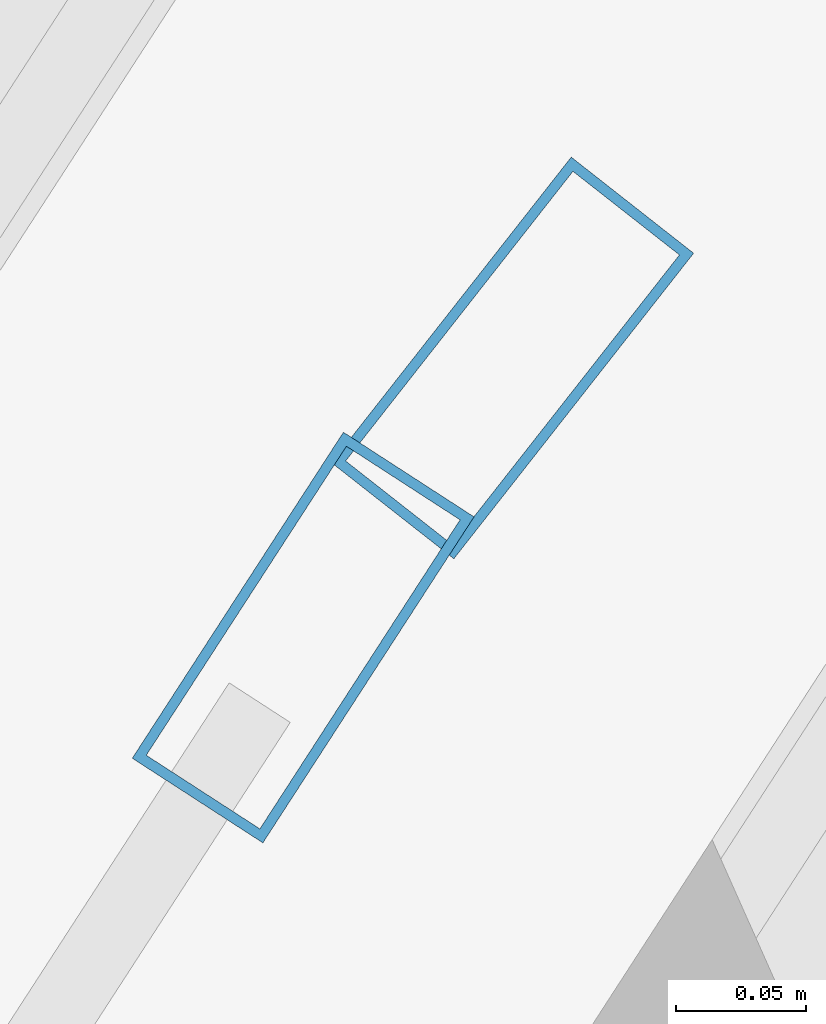
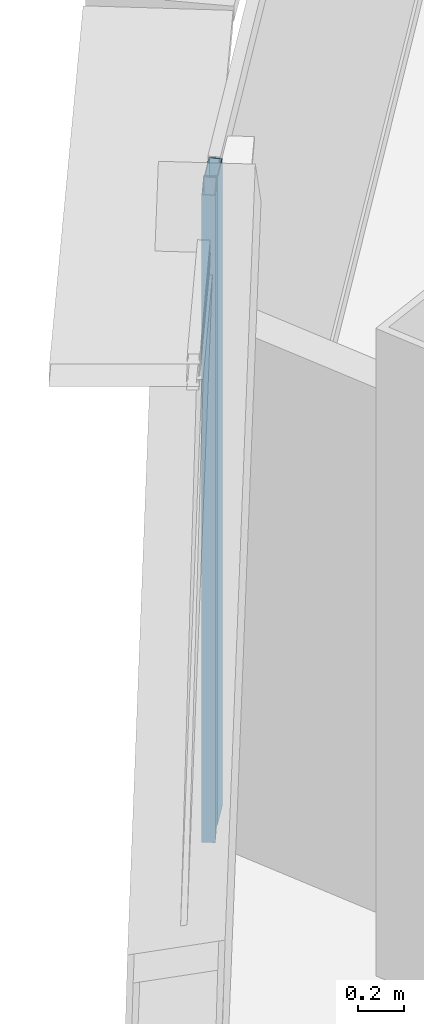
# One storey, part 18 of 39: 2 members, 2 elements without a shape of their own.
"""IFC4 building model written with IfcOpenShell, lengths in metres."""

from ifc_helpers import new_model, si_unit, direction, frame, origin, origin_2d, place, context, subcontext, project, spatial, hollow_rectangle, extrude, source, transform, mapped, material, layer, layer_set, material_profile, profile_set, type_object, element, aggregate, save


model = new_model("IFC4")

# Units and contexts
model_context = context("Model", 3, precision=1e-05, world=origin(), true_north=direction((0.0, 1.0)))
body_context = subcontext(model_context, "Body", "Model", "MODEL_VIEW")
ifc_project = project(units=[si_unit("LENGTHUNIT", "METRE"), si_unit("AREAUNIT", "SQUARE_METRE"), si_unit("VOLUMEUNIT", "CUBIC_METRE"), si_unit("PLANEANGLEUNIT", "RADIAN"), si_unit("MASSUNIT", "GRAM", prefix="KILO"), si_unit("THERMODYNAMICTEMPERATUREUNIT", "KELVIN"), si_unit("POWERUNIT", "WATT")], contexts=[model_context])

# Site, building, storey
site_placement = place(None, origin())
site = spatial("IfcSite", under=ifc_project, at=site_placement, CompositionType="ELEMENT")
building_placement = place(site_placement, origin())
building = spatial("IfcBuilding", under=site, at=building_placement, Name="Yunzhuo Pagoda Commons", CompositionType="ELEMENT")
storey_placement = place(building_placement, frame((0.0, 0.0, 140.8701171875)))
storey = spatial("IfcBuildingStorey", under=building, at=storey_placement, Name="L35", CompositionType="ELEMENT", Elevation=140.8701171875)

# Curtain wall, member
ifc_material = material(Name="Anodized aluminium 6063-T6", Category="aluminium")
ifc_layer = layer(ifc_material, 0.14990234375)
ifc_layer_set = layer_set([ifc_layer], Name="Anodized aluminium 6063-T6")
curtain_wall_type = type_object("IfcCurtainWallType", Name="CW-MID Mid-Zone Ribbon Curtain Wall", PredefinedType="NOTDEFINED", material=ifc_layer_set)
curtain_wall_1_placement = place(storey_placement, origin())
curtain_wall_1 = element("IfcCurtainWall", 1, at=curtain_wall_1_placement, inside=storey, type_object=curtain_wall_type, Name="L35 curtain wall CW-L35-F3B2", PredefinedType="NOTDEFINED")
ifc_material_profile = material_profile(ifc_material, hollow_rectangle(XDim=0.06005859375, YDim=0.14990234375, WallThickness=0.00390625, at=origin_2d()), Name="Anodized aluminium 6063-T6")
ifc_profile_set = profile_set([ifc_material_profile], Name="Anodized aluminium 6063-T6")
member_type = type_object("IfcMemberType", Name="CW-MID-M Mullion RHS 150x60x4", PredefinedType="MULLION", material=ifc_profile_set)
shared_shape = source(origin(), body_context, "Body", "SweptSolid", [
    extrude(hollow_rectangle(XDim=0.06005859375, YDim=0.14990234375, WallThickness=0.00390625, at=origin_2d()), origin(), (0.0, 0.0, 1.0), 3.419921875),
])
member_1_placement = place(storey_placement, frame((31.883056640625, 69.837890625, 0.0), z_axis=(0.0, 0.0, 1.0), x_axis=(0.839320281383, -0.543637255216, 0.0)))
member_1 = element("IfcMember", 2, at=member_1_placement, type_object=member_type, Name="CW mullion 1", PredefinedType="MULLION", context=body_context, shape_type="MappedRepresentation", body=[
    mapped(shared_shape, transform((0.0, 0.0, 0.0), scale=1.0)),
])
aggregate(curtain_wall_1, [member_1])

curtain_wall_2_placement = place(storey_placement, origin())
curtain_wall_2 = element("IfcCurtainWall", 3, at=curtain_wall_2_placement, inside=storey, type_object=curtain_wall_type, Name="L35 curtain wall CW-L35-F3B1", PredefinedType="NOTDEFINED")
member_2_placement = place(storey_placement, frame((31.9638671875, 69.94580078125, 0.0), z_axis=(0.0, 0.0, 1.0), x_axis=(0.786664694453, -0.617380481147, 0.0)))
member_2 = element("IfcMember", 4, at=member_2_placement, type_object=member_type, Name="CW mullion 2", PredefinedType="MULLION", context=body_context, shape_type="MappedRepresentation", body=[
    mapped(shared_shape, transform((0.0, 0.0, 0.0), scale=1.0)),
])
aggregate(curtain_wall_2, [member_2])

save(model, "model.ifc")
